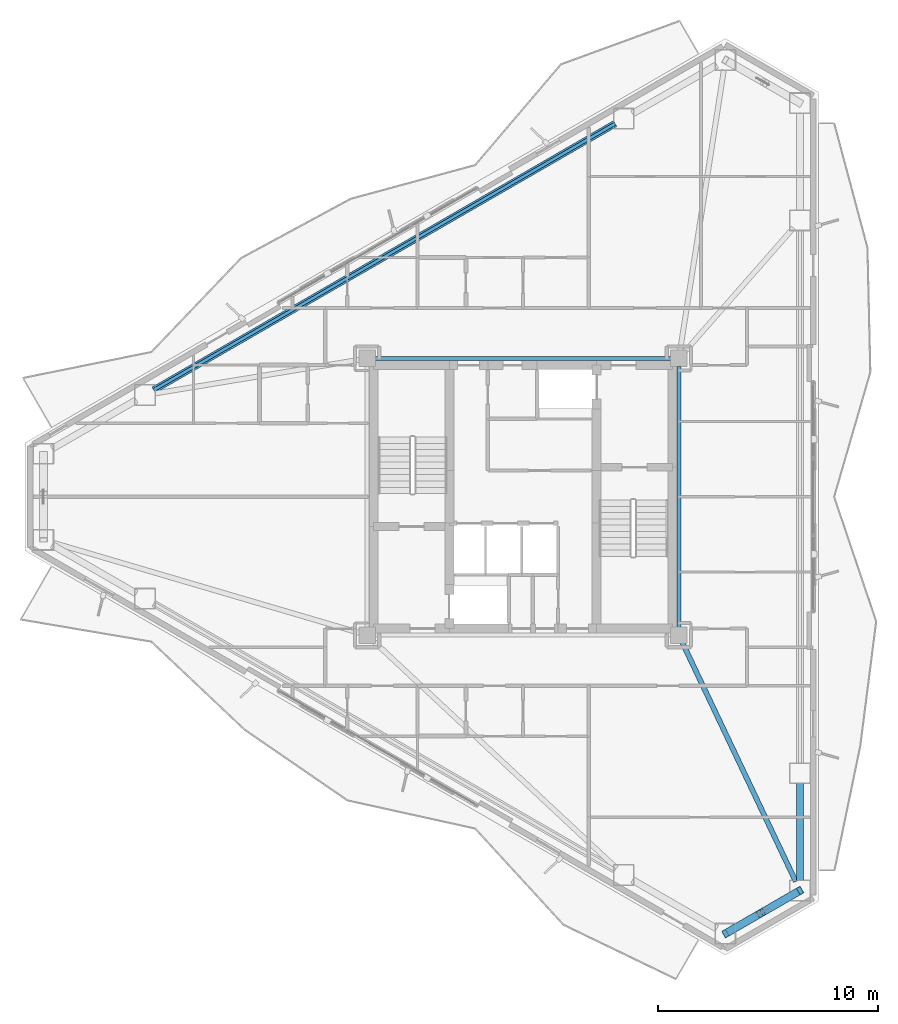
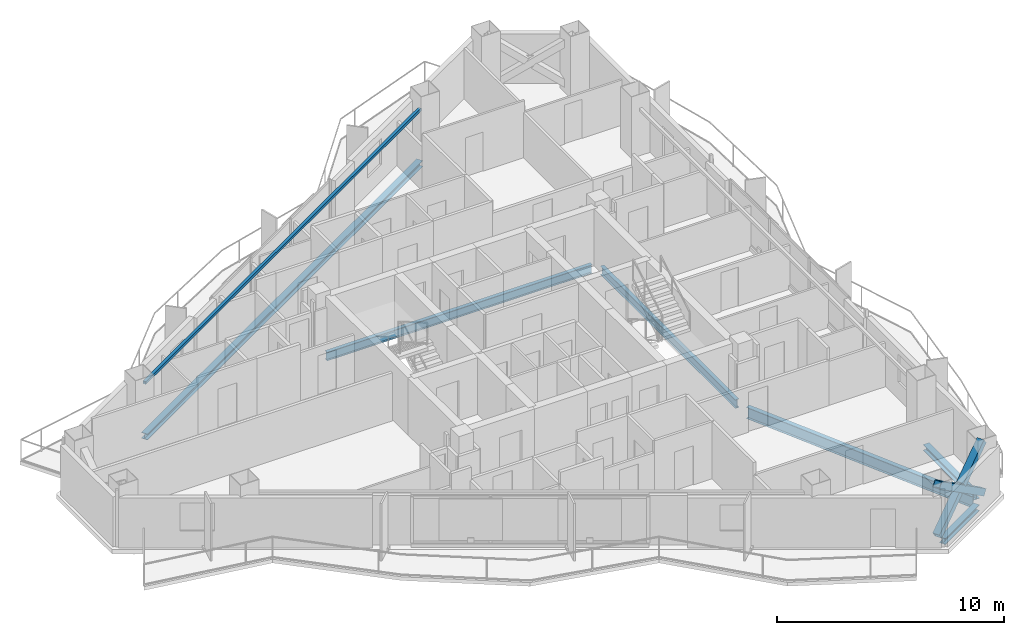
# One storey, part 6 of 18: 7 beams, 3 members.
"""IFC4 building model written with IfcOpenShell, lengths in metres."""

from ifc_helpers import new_model, si_unit, direction, frame, origin, origin_2d, place, context, subcontext, project, spatial, hollow_rectangle, i_section, extrude, material, material_profile, profile_set, type_object, element, save


model = new_model("IFC4")

# Units and contexts
model_context = context("Model", 3, precision=1e-05, world=origin(), true_north=direction((0.0, 1.0)))
body_context = subcontext(model_context, "Body", "Model", "MODEL_VIEW")
ifc_project = project(units=[si_unit("LENGTHUNIT", "METRE"), si_unit("AREAUNIT", "SQUARE_METRE"), si_unit("VOLUMEUNIT", "CUBIC_METRE"), si_unit("PLANEANGLEUNIT", "RADIAN"), si_unit("MASSUNIT", "GRAM", prefix="KILO")], contexts=[model_context])

# Site, building, storey
site_placement = place(None, origin())
site = spatial("IfcSite", under=ifc_project, at=site_placement, CompositionType="ELEMENT")
building_placement = place(site_placement, origin())
building = spatial("IfcBuilding", under=site, at=building_placement, Name="Mersakhor Tower and Convention Hall", CompositionType="ELEMENT")
storey_placement = place(building_placement, frame((0.0, 0.0, 154.199951171875)))
storey = spatial("IfcBuildingStorey", under=building, at=storey_placement, Name="L43", CompositionType="ELEMENT", Elevation=154.199951171875)

# Beams
ifc_material_1 = material(Name="Steel S355", Category="steel")
ifc_material_profile_1 = material_profile(ifc_material_1, i_section(OverallWidth=0.19140625, OverallDepth=0.4599609375, WebThickness=0.010009765625, FlangeThickness=0.01611328125, at=origin_2d()), Name="UB 457x191x82")
ifc_profile_set_1 = profile_set([ifc_material_profile_1], Name="Steel S355")
beam_type_1 = type_object("IfcBeamType", Name="BM-FB-457", PredefinedType="BEAM", material=ifc_profile_set_1)
beam_1_placement = place(storey_placement, frame((22.2548828125, 33.050048828125, -0.469970703125), z_axis=(1.0, 0.0, 0.0), x_axis=(0.0, 1.0, 0.0)))
element("IfcBeam", 1, at=beam_1_placement, inside=storey, type_object=beam_type_1, Name="L43 Core Ring Tie Beam CRB-2", PredefinedType="BEAM", context=body_context, shape_type="SweptSolid", body=[
    extrude(i_section(OverallWidth=0.19140625, OverallDepth=0.4599609375, WebThickness=0.010009765625, FlangeThickness=0.01611328125, at=origin_2d()), origin(), (0.0, 0.0, 1.0), 13.490234375),
])
beam_2_placement = place(storey_placement, frame((36.10009765625, 32.695068359375, -0.469970703125), z_axis=(0.0, -1.0, 0.0), x_axis=(1.0, 0.0, 0.0)))
element("IfcBeam", 2, at=beam_2_placement, inside=storey, type_object=beam_type_1, Name="L43 Core Ring Tie Beam CRB-3", PredefinedType="BEAM", context=body_context, shape_type="SweptSolid", body=[
    extrude(i_section(OverallWidth=0.19140625, OverallDepth=0.4599609375, WebThickness=0.010009765625, FlangeThickness=0.01611328125, at=origin_2d()), origin(), (0.0, 0.0, 1.0), 11.89013671875),
])
ifc_material_2 = material(Name="Steel S355", Category="steel")
ifc_material_profile_2 = material_profile(ifc_material_2, hollow_rectangle(XDim=0.14990234375, YDim=0.14990234375, WallThickness=0.010009765625, at=origin_2d()), Name="SHS 150x150x10")
ifc_profile_set_2 = profile_set([ifc_material_profile_2], Name="Steel S355")
beam_type_2 = type_object("IfcBeamType", Name="BM-GRT-SHS150", PredefinedType="USERDEFINED", material=ifc_profile_set_2)
beam_3_placement = place(storey_placement, frame((12.182373046875, 31.61181640625, 2.47998046875), z_axis=(0.866027433267, 0.499996484816, 0.0), x_axis=(-0.499996484816, 0.866027433267, 0.0)))
element("IfcBeam", 3, at=beam_3_placement, inside=storey, type_object=beam_type_2, Name="L43 Facade Support Girt GRT-F1", ObjectType="GIRT", PredefinedType="USERDEFINED", context=body_context, shape_type="SweptSolid", body=[
    extrude(hollow_rectangle(XDim=0.14990234375, YDim=0.14990234375, WallThickness=0.010009765625, at=origin_2d()), origin(), (0.0, 0.0, 1.0), 24.267333984375),
])
ifc_material_3 = material(Name="Steel S355", Category="steel")
ifc_material_profile_3 = material_profile(ifc_material_3, i_section(OverallWidth=0.22900390625, OverallDepth=0.6123046875, WebThickness=0.011962890625, FlangeThickness=0.01953125, at=origin_2d()), Name="UB 610x229x125")
ifc_profile_set_3 = profile_set([ifc_material_profile_3], Name="Steel S355")
beam_type_3 = type_object("IfcBeamType", Name="BM-PR-610", PredefinedType="BEAM", material=ifc_profile_set_3)
beam_4_placement = place(storey_placement, frame((36.252197265625, 20.12939453125, -0.546142578125), z_axis=(0.428664675599, -0.903463666061, 0.0), x_axis=(0.903463666061, 0.428664675599, 0.0)))
element("IfcBeam", 4, at=beam_4_placement, inside=storey, type_object=beam_type_3, Name="L43 Primary Floor Girder FG-4", PredefinedType="BEAM", context=body_context, shape_type="SweptSolid", body=[
    extrude(i_section(OverallWidth=0.22900390625, OverallDepth=0.6123046875, WebThickness=0.011962890625, FlangeThickness=0.01953125, at=origin_2d()), origin(), (0.0, 0.0, 1.0), 12.065673828125),
])
ifc_material_4 = material(Name="Steel S355", Category="steel")
ifc_material_profile_4 = material_profile(ifc_material_4, i_section(OverallWidth=0.30908203125, OverallDepth=0.320556640625, WebThickness=0.013916015625, FlangeThickness=0.021728515625, at=origin_2d()), Name="UC 305x305x137")
ifc_profile_set_4 = profile_set([ifc_material_profile_4], Name="Steel S355")
beam_type_4 = type_object("IfcBeamType", Name="BM-SPD-UC305", PredefinedType="SPANDREL", material=ifc_profile_set_4)
beam_5_placement = place(storey_placement, frame((12.182373046875, 31.61181640625, -0.400146484375), z_axis=(0.866027433267, 0.499996484816, 0.0), x_axis=(-0.499996484816, 0.866027433267, 0.0)))
element("IfcBeam", 5, at=beam_5_placement, inside=storey, type_object=beam_type_4, Name="L43 Perimeter Spandrel Beam SPB-02", PredefinedType="SPANDREL", context=body_context, shape_type="SweptSolid", body=[
    extrude(i_section(OverallWidth=0.30908203125, OverallDepth=0.320556640625, WebThickness=0.013916015625, FlangeThickness=0.021728515625, at=origin_2d()), origin(), (0.0, 0.0, 1.0), 24.267333984375),
])
beam_6_placement = place(storey_placement, frame((41.619140625, 13.706298828125, -0.400146484375), z_axis=(0.0, -1.0, 0.0), x_axis=(1.0, 0.0, 0.0)))
element("IfcBeam", 6, at=beam_6_placement, inside=storey, type_object=beam_type_4, Name="L43 Perimeter Spandrel Beam SPB-07", PredefinedType="SPANDREL", context=body_context, shape_type="SweptSolid", body=[
    extrude(i_section(OverallWidth=0.30908203125, OverallDepth=0.320556640625, WebThickness=0.013916015625, FlangeThickness=0.021728515625, at=origin_2d()), origin(), (0.0, 0.0, 1.0), 4.433837890625),
])
beam_7_placement = place(storey_placement, frame((41.22509765625, 8.58984375, -0.400146484375), z_axis=(-0.86604667077, -0.499963162692, 0.0), x_axis=(0.499963162692, -0.86604667077, 0.0)))
element("IfcBeam", 7, at=beam_7_placement, inside=storey, type_object=beam_type_4, Name="L43 Perimeter Spandrel Beam SPB-08", PredefinedType="SPANDREL", context=body_context, shape_type="SweptSolid", body=[
    extrude(i_section(OverallWidth=0.30908203125, OverallDepth=0.320556640625, WebThickness=0.013916015625, FlangeThickness=0.021728515625, at=origin_2d()), origin(), (0.0, 0.0, 1.0), 3.014404296875),
])

# Members
ifc_material_5 = material(Name="Steel S460", Category="steel")
ifc_material_profile_5 = material_profile(ifc_material_5, hollow_rectangle(XDim=0.35009765625, YDim=0.35009765625, WallThickness=0.02001953125, at=origin_2d()), Name="SHS 350x350x20")
ifc_profile_set_5 = profile_set([ifc_material_profile_5], Name="Steel S460")
member_type = type_object("IfcMemberType", Name="MB-BRC-SHS350", PredefinedType="BRACE", material=ifc_profile_set_5)
member_placement = place(storey_placement, frame((41.619140625, 8.8173828125, 0.150146484375), z_axis=(-0.70838533923, -0.408971551713, 0.575267312693), x_axis=(0.499986324622, -0.866033299124, 0.0)))
element("IfcMember", 8, at=member_placement, inside=storey, type_object=member_type, Name="L43 Chamfer Braced Frame Diagonal CB-2A", PredefinedType="BRACE", context=body_context, shape_type="SweptSolid", body=[
    extrude(hollow_rectangle(XDim=0.35009765625, YDim=0.35009765625, WallThickness=0.02001953125, at=origin_2d()), origin(), (0.0, 0.0, 1.0), 4.7978515625),
])
for number, where, z_axis, x_axis, name in (
    (9, (38.220458984375, 6.855224609375, 0.150146484375), (0.708409139881, 0.409012716899, 0.575208734242), (-0.500011469263, 0.866018781901, 0.0), "L43 Chamfer Braced Frame Diagonal CB-2B Lower Half"),
    (10, (40.05712890625, 7.91552734375, 1.6416015625), (0.708364021879, 0.408986667212, 0.575282816143), (-0.500011469263, 0.866018781901, 0.0), "L43 Chamfer Braced Frame Diagonal CB-2B Upper Half"),
):
    element("IfcMember", number, at=place(storey_placement, frame(where, z_axis=z_axis, x_axis=x_axis)), inside=storey, type_object=member_type, Name=name, PredefinedType="BRACE", context=body_context, shape_type="SweptSolid", body=[
        extrude(hollow_rectangle(XDim=0.35009765625, YDim=0.35009765625, WallThickness=0.02001953125, at=origin_2d()), origin(), (0.0, 0.0, 1.0), 2.205078125),
    ])

save(model, "model.ifc")
